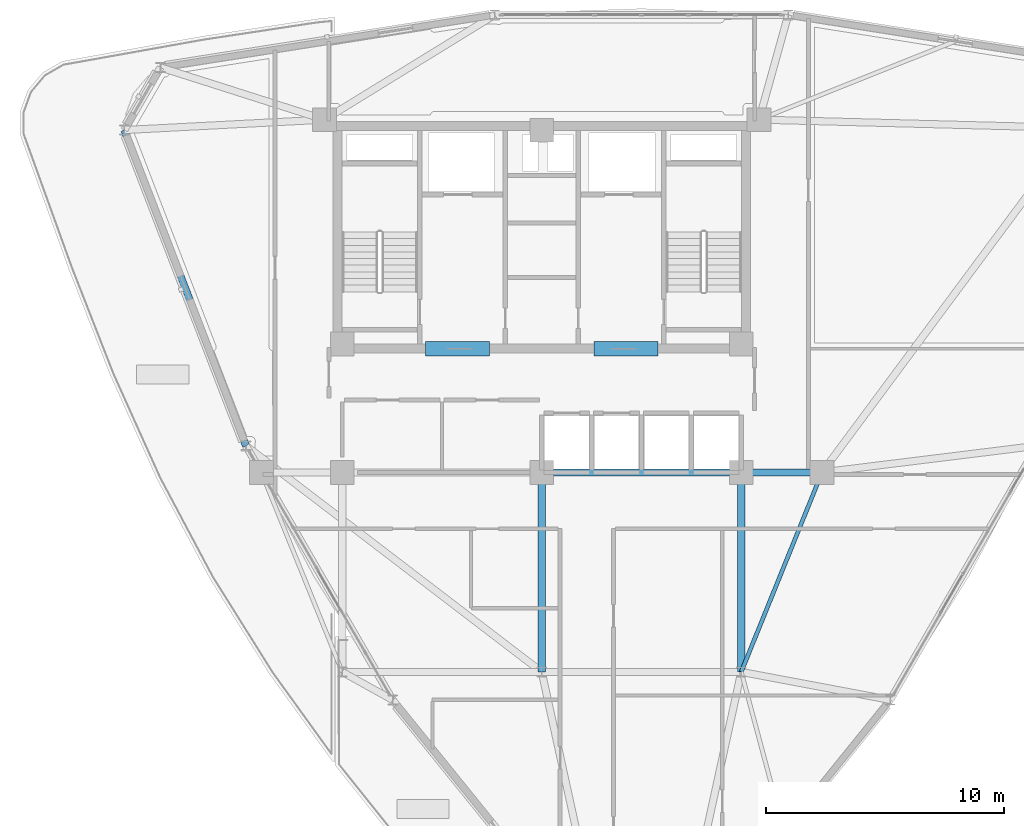
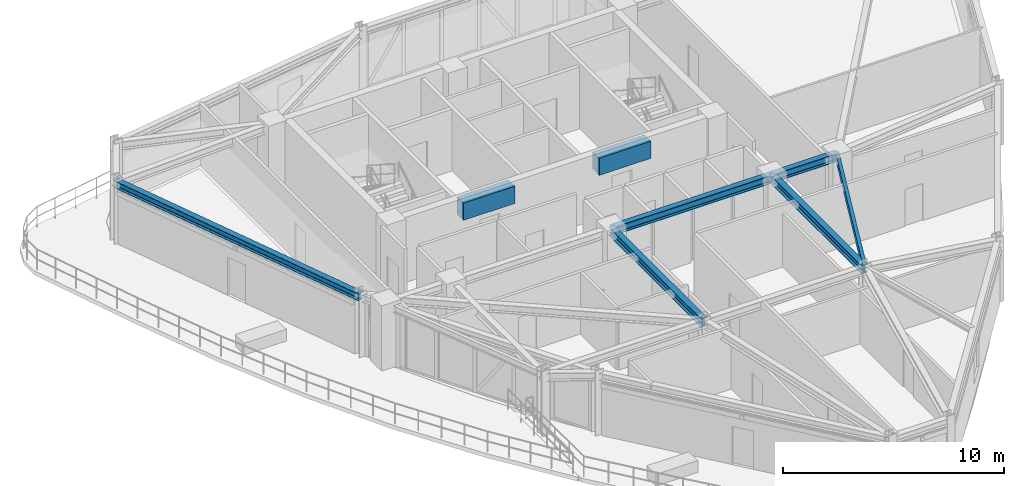
# One storey, part 5 of 19: 8 beams.
"""IFC4 building model written with IfcOpenShell, lengths in metres."""

import ifcopenshell
import ifcopenshell.guid

model = None  # the IFC model being written
_history = None  # IfcOwnerHistory: only IFC2X3 demands one
_inside = {}  # id of a spatial element -> (the spatial element, [elements in it])
_under = {}  # id of a project, library or spatial element -> (it, [spatial elements below it])
_declared = {}  # id of a project -> (the project, [libraries it declares])
_typed = {}  # id of a type object -> (the type object, [elements of that type])
_made_of = {}  # id of a material, layer set ... -> (it, [elements and type objects made of it])


def new_model(schema):
    """Start an empty IFC model of exactly this schema.

    Asked for "IFC4X3", IfcOpenShell would pick the latest addendum, in which some entities
    have other attributes; the version numbers below select the first issue.
    IFC2X3 requires an IfcOwnerHistory on every rooted entity: one is made here for all.
    """
    global model, _history
    if schema == "IFC4X3":
        model = ifcopenshell.file(schema_version=(4, 3, 0, 0))
    else:
        model = ifcopenshell.file(schema=schema)
    _inside.clear()
    _under.clear()
    _declared.clear()
    _typed.clear()
    _made_of.clear()
    _history = None
    if model.schema == "IFC2X3":
        org = make("IfcOrganization", Name="unknown")
        user = make(
            "IfcPersonAndOrganization",
            ThePerson=make("IfcPerson", FamilyName="unknown"),
            TheOrganization=org,
        )
        app = make(
            "IfcApplication",
            ApplicationDeveloper=org,
            Version="unknown",
            ApplicationFullName="unknown",
            ApplicationIdentifier="unknown",
        )
        _history = make(
            "IfcOwnerHistory",
            OwningUser=user,
            OwningApplication=app,
            ChangeAction="ADDED",
            CreationDate=0,
        )
    return model


def make(cls, **values):
    """One entity of the class cls with the attributes given. An attribute that is None is left unset."""
    return model.create_entity(
        cls, **{name: value for name, value in values.items() if value is not None}
    )


def rooted(cls, **values):
    """An entity with a GlobalId (a new one), such as an element, a storey or a relation."""
    return make(cls, GlobalId=ifcopenshell.guid.new(), OwnerHistory=_history, **values)


def si_unit(unit_type, name, prefix=None):
    """IfcSIUnit, for example si_unit("LENGTHUNIT", "METRE", prefix="MILLI")."""
    return make("IfcSIUnit", UnitType=unit_type, Prefix=prefix, Name=name)


def derived_unit(unit_type, elements):
    """IfcDerivedUnit: a product of units, each with its exponent."""
    return make(
        "IfcDerivedUnit",
        Elements=[
            make("IfcDerivedUnitElement", Unit=unit, Exponent=power)
            for unit, power in elements
        ],
        UnitType=unit_type,
    )


def assignment(units):
    """IfcUnitAssignment: the units of a project."""
    return None if units is None else make("IfcUnitAssignment", Units=units)


def point(xyz):
    """IfcCartesianPoint."""
    return None if xyz is None else make("IfcCartesianPoint", Coordinates=xyz)


def direction(xyz):
    """IfcDirection."""
    return None if xyz is None else make("IfcDirection", DirectionRatios=xyz)


def frame(location, z_axis=None, x_axis=None):
    """IfcAxis2Placement3D, a coordinate frame: its origin and axes. An axis left out is left unset."""
    return make(
        "IfcAxis2Placement3D",
        Location=point(location),
        Axis=direction(z_axis),
        RefDirection=direction(x_axis),
    )


def frame_2d(location, x_axis=None):
    """IfcAxis2Placement2D, a coordinate frame in the plane: its origin and x axis."""
    return make(
        "IfcAxis2Placement2D", Location=point(location), RefDirection=direction(x_axis)
    )


def origin():
    """The frame at (0, 0, 0) with its axes left unset."""
    return frame((0.0, 0.0, 0.0))


def origin_2d():
    """The frame at (0, 0) in the plane with its x axis left unset."""
    return frame_2d((0.0, 0.0))


def place(relative_to, where):
    """IfcLocalPlacement: puts the frame where relative to a parent placement (None: the world)."""
    return make(
        "IfcLocalPlacement", PlacementRelTo=relative_to, RelativePlacement=where
    )


def context(
    kind, dimensions, precision=None, world=None, true_north=None, identifier=None
):
    """IfcGeometricRepresentationContext, for example the 3D "Model" context."""
    return make(
        "IfcGeometricRepresentationContext",
        ContextIdentifier=identifier,
        ContextType=kind,
        CoordinateSpaceDimension=dimensions,
        Precision=precision,
        WorldCoordinateSystem=world,
        TrueNorth=true_north,
    )


def subcontext(parent, identifier, kind, view, scale=None):
    """IfcGeometricRepresentationSubContext, for example "Body" below "Model"."""
    return make(
        "IfcGeometricRepresentationSubContext",
        ContextIdentifier=identifier,
        ContextType=kind,
        ParentContext=parent,
        TargetScale=scale,
        TargetView=view,
    )


def project(units=None, contexts=None):
    """IfcProject with its units and contexts."""
    return rooted(
        "IfcProject",
        Name="project",
        RepresentationContexts=contexts,
        UnitsInContext=assignment(units),
    )


def spatial(cls, under=None, at=None, **own):
    """A site, building, storey or space (cls), placed at a placement, below another one or the project."""
    s = rooted(cls, ObjectPlacement=at, **own)
    if under is not None:
        _under.setdefault(under.id(), (under, []))[1].append(s)
    return s


def profile(cls, at=None, kind="AREA", **sizes):
    """A parametric profile (cls). Its sizes go by their IFC names, for example OverallWidth=200.0."""
    return make(cls, ProfileType=kind, Position=at, **sizes)


def rectangle(**sizes):
    """IfcRectangleProfileDef."""
    return profile("IfcRectangleProfileDef", **sizes)


def i_section(**sizes):
    """IfcIShapeProfileDef."""
    return profile("IfcIShapeProfileDef", **sizes)


def extrude(swept, where, along, depth):
    """IfcExtrudedAreaSolid: the profile swept, set in the frame where, extruded along a direction by depth."""
    return make(
        "IfcExtrudedAreaSolid",
        SweptArea=swept,
        Position=where,
        ExtrudedDirection=direction(along),
        Depth=depth,
    )


def shape(context_of_items, identifier, shape_type, items):
    """IfcShapeRepresentation: the items that make up one representation, for example the "Body"."""
    return make(
        "IfcShapeRepresentation",
        ContextOfItems=context_of_items,
        RepresentationIdentifier=identifier,
        RepresentationType=shape_type,
        Items=items,
    )


def source(mapping_origin, context_of_items, identifier, shape_type, items):
    """IfcRepresentationMap: a shape defined once, which mapped items show again and again."""
    return make(
        "IfcRepresentationMap",
        MappingOrigin=mapping_origin,
        MappedRepresentation=shape(context_of_items, identifier, shape_type, items),
    )


def transform(
    local_origin,
    x_axis=None,
    y_axis=None,
    z_axis=None,
    scale=None,
    scale2=None,
    scale3=None,
    uniform=True,
):
    """IfcCartesianTransformationOperator3D, or its non-uniform kind. x_axis, y_axis, z_axis: its Axis1, 2, 3."""
    if uniform:
        return make(
            "IfcCartesianTransformationOperator3D",
            Axis1=direction(x_axis),
            Axis2=direction(y_axis),
            LocalOrigin=point(local_origin),
            Scale=scale,
            Axis3=direction(z_axis),
        )
    return make(
        "IfcCartesianTransformationOperator3DnonUniform",
        Axis1=direction(x_axis),
        Axis2=direction(y_axis),
        LocalOrigin=point(local_origin),
        Scale=scale,
        Axis3=direction(z_axis),
        Scale2=scale2,
        Scale3=scale3,
    )


def mapped(mapping_source, mapping_target):
    """IfcMappedItem: shows the shape of a source again, moved by a transform."""
    return make(
        "IfcMappedItem", MappingSource=mapping_source, MappingTarget=mapping_target
    )


def material(Name=None, Category=None):
    """IfcMaterial."""
    return make("IfcMaterial", Name=Name, Category=Category)


def material_profile(
    of_material, cross_section, Name=None, Category=None, Priority=None
):
    """IfcMaterialProfile: a cross section and its material."""
    return make(
        "IfcMaterialProfile",
        Name=Name,
        Material=of_material,
        Profile=cross_section,
        Priority=Priority,
        Category=Category,
    )


def profile_set(profiles, Name=None, composite=None):
    """IfcMaterialProfileSet."""
    return make(
        "IfcMaterialProfileSet",
        Name=Name,
        MaterialProfiles=profiles,
        CompositeProfile=composite,
    )


def made_of(thing, what):
    """Note that an element or type object is made of a material, layer set ...; save() writes the relation."""
    if what is not None:
        _made_of.setdefault(what.id(), (what, []))[1].append(thing)
    return thing


def type_object(cls, material=None, **own):
    """A type object (cls), such as IfcWallType, which elements share."""
    return made_of(rooted(cls, **own), material)


def element(
    cls,
    number,
    at=None,
    inside=None,
    cuts=None,
    type_object=None,
    material=None,
    context=None,
    identifier="Body",
    shape_type=None,
    held_by="IfcProductDefinitionShape",
    body=None,
    shapes=None,
    **own,
):
    """One element of the class cls, such as IfcWall. Its Tag is "e" and its number.

    at: its placement. inside: the storey or other place that contains it. cuts: it is an
    opening in that element (IfcRelVoidsElement). A single representation is given by context,
    identifier, shape_type and body (its items); several are given by shapes. held_by: the class
    of the entity that holds the representations. save() writes the other relations.
    """
    e = rooted(cls, Tag="e%d" % number, ObjectPlacement=at, **own)
    if body is not None:
        shapes = [shape(context, identifier, shape_type, body)]
    if shapes is not None:
        e.Representation = make(held_by, Representations=shapes)
    if inside is not None:
        _inside.setdefault(inside.id(), (inside, []))[1].append(e)
    if cuts is not None:
        rooted(
            "IfcRelVoidsElement", RelatingBuildingElement=cuts, RelatedOpeningElement=e
        )
    if type_object is not None:
        _typed.setdefault(type_object.id(), (type_object, []))[1].append(e)
    return made_of(e, material)


def aggregate(whole, parts):
    """IfcRelAggregates: a whole, such as a stair, and the parts it consists of."""
    return rooted("IfcRelAggregates", RelatingObject=whole, RelatedObjects=parts)


def save(model, path):
    """Write the relations noted so far, then the file.

    IfcRelAggregates (storeys below a building ...), IfcRelContainedInSpatialStructure (elements
    in a storey), IfcRelDefinesByType, IfcRelAssociatesMaterial and IfcRelDeclares: one each for
    every whole, place, type object, material and project.
    """
    for whole, parts in _under.values():
        aggregate(whole, parts)
    for where, things in _inside.values():
        rooted(
            "IfcRelContainedInSpatialStructure",
            RelatedElements=things,
            RelatingStructure=where,
        )
    for kind, things in _typed.values():
        rooted("IfcRelDefinesByType", RelatedObjects=things, RelatingType=kind)
    for what, things in _made_of.values():
        rooted("IfcRelAssociatesMaterial", RelatedObjects=things, RelatingMaterial=what)
    for by, libraries in _declared.values():
        rooted("IfcRelDeclares", RelatingContext=by, RelatedDefinitions=libraries)
    model.write(path)


model = new_model("IFC4")

# Units and contexts
model_context = context("Model", 3, precision=1e-05, world=origin(), true_north=direction((0.0, 1.0)))
body_context = subcontext(model_context, "Body", "Model", "MODEL_VIEW")
ifc_project = project(units=[si_unit("LENGTHUNIT", "METRE"), si_unit("AREAUNIT", "SQUARE_METRE"), si_unit("VOLUMEUNIT", "CUBIC_METRE"), si_unit("PLANEANGLEUNIT", "RADIAN"), si_unit("MASSUNIT", "GRAM", prefix="KILO"), derived_unit("THERMALTRANSMITTANCEUNIT", [(si_unit("POWERUNIT", "WATT"), 1), (si_unit("LENGTHUNIT", "METRE"), -2), (si_unit("THERMODYNAMICTEMPERATUREUNIT", "KELVIN"), -1)])], contexts=[model_context])

# Site, building, storey
site_placement = place(None, origin())
site = spatial("IfcSite", under=ifc_project, at=site_placement, CompositionType="ELEMENT")
building_placement = place(site_placement, origin())
building = spatial("IfcBuilding", under=site, at=building_placement, Name="Korsvarv Bourse and Concert Hall", CompositionType="ELEMENT")
storey_placement = place(building_placement, frame((0.0, 0.0, 205.800048828125)))
storey = spatial("IfcBuildingStorey", under=building, at=storey_placement, Name="L53", CompositionType="ELEMENT", Elevation=205.800048828125)

# Beams
ifc_material_1 = material(Name="Concrete C55/67", Category="concrete")
ifc_material_profile_1 = material_profile(ifc_material_1, rectangle(XDim=0.60009765625, YDim=0.949951171875, at=origin_2d()), Name="RC-BM 600x950")
ifc_profile_set_1 = profile_set([ifc_material_profile_1], Name="Concrete C55/67")
beam_type_1 = type_object("IfcBeamType", Name="BM-CPL", PredefinedType="LINTEL", material=ifc_profile_set_1)
shared_shape_1 = source(origin(), body_context, "Body", "SweptSolid", [
    extrude(rectangle(XDim=0.60009765625, YDim=0.949951171875, at=origin_2d()), origin(), (0.0, 0.0, 1.0), 2.699951171875),
])
for number, where, z_axis, x_axis, name in (
    (1, (31.10009765625, 37.610107421875, 2.93505859375), (1.0, 0.0, 0.0), (0.0, 1.0, 0.0), "L53 Core Coupling Beam West"),
    (2, (38.199951171875, 37.610107421875, 2.93505859375), (1.0, 0.0, 0.0), (0.0, 1.0, 0.0), "L53 Core Coupling Beam East"),
):
    element("IfcBeam", number, at=place(storey_placement, frame(where, z_axis=z_axis, x_axis=x_axis)), inside=storey, type_object=beam_type_1, Name=name, PredefinedType="LINTEL", context=body_context, shape_type="MappedRepresentation", body=[
        mapped(shared_shape_1, transform((0.0, 0.0, 0.0), scale=1.0)),
    ])
ifc_material_2 = material(Name="Steel S355", Category="steel")
ifc_material_profile_2 = material_profile(ifc_material_2, i_section(OverallWidth=0.169921875, OverallDepth=0.360107421875, WebThickness=0.008056640625, FlangeThickness=0.0126953125, FilletRadius=0.01806640625, at=origin_2d()), Name="IPE 360")
ifc_profile_set_2 = profile_set([ifc_material_profile_2], Name="Steel S355")
beam_type_2 = type_object("IfcBeamType", Name="BM-IPE360", PredefinedType="JOIST", material=ifc_profile_set_2)
shared_shape_2 = source(origin(), body_context, "Body", "SweptSolid", [
    extrude(i_section(OverallWidth=0.169921875, OverallDepth=0.360107421875, WebThickness=0.008056640625, FlangeThickness=0.0126953125, FilletRadius=0.01806640625, at=origin_2d()), origin(), (0.0, 0.0, 1.0), 9.06201171875),
])
beam_1_placement = place(storey_placement, frame((47.800048828125, 32.39990234375, 3.22998046875), z_axis=(-0.375210394783, -0.926939674222, 0.0), x_axis=(0.926939674222, -0.375210394783, 0.0)))
element("IfcBeam", 3, at=beam_1_placement, inside=storey, type_object=beam_type_2, Name="L53 beam J-06", PredefinedType="JOIST", context=body_context, shape_type="MappedRepresentation", body=[
    mapped(shared_shape_2, transform((0.0, 0.0, 0.0), scale=1.0)),
])
ifc_material_profile_3 = material_profile(ifc_material_2, i_section(OverallWidth=0.300048828125, OverallDepth=0.449951171875, WebThickness=0.013916015625, FlangeThickness=0.02587890625, FilletRadius=0.02099609375, at=origin_2d()), Name="HEB 450")
ifc_profile_set_3 = profile_set([ifc_material_profile_3], Name="Steel S355")
beam_type_3 = type_object("IfcBeamType", Name="BM-HEB450", PredefinedType="SPANDREL", material=ifc_profile_set_3)
shared_shape_3 = source(origin(), body_context, "Body", "SweptSolid", [
    extrude(i_section(OverallWidth=0.300048828125, OverallDepth=0.449951171875, WebThickness=0.013916015625, FlangeThickness=0.02587890625, FilletRadius=0.02099609375, at=origin_2d()), origin(), (0.0, 0.0, 1.0), 3.400146484375),
])
beam_2_placement = place(storey_placement, frame((44.39990234375, 32.39990234375, 3.18505859375), z_axis=(1.0, 0.0, 0.0), x_axis=(0.0, 1.0, 0.0)))
element("IfcBeam", 4, at=beam_2_placement, inside=storey, type_object=beam_type_3, Name="L53 beam B-08", PredefinedType="SPANDREL", context=body_context, shape_type="MappedRepresentation", body=[
    mapped(shared_shape_3, transform((0.0, 0.0, 0.0), scale=1.0)),
])
shared_shape_4 = source(origin(), body_context, "Body", "SweptSolid", [
    extrude(i_section(OverallWidth=0.300048828125, OverallDepth=0.449951171875, WebThickness=0.013916015625, FlangeThickness=0.02587890625, FilletRadius=0.02099609375, at=origin_2d()), origin(), (0.0, 0.0, 1.0), 8.39990234375),
])
for number, where, z_axis, x_axis, name in (
    (5, (36.0, 32.39990234375, 3.18505859375), (1.0, 0.0, 0.0), (0.0, 1.0, 0.0), "L53 beam B-08"),
    (6, (36.0, 24.0, 3.18505859375), (0.0, 1.0, 0.0), (-1.0, 0.0, 0.0), "L53 beam B-08"),
    (7, (44.39990234375, 24.0, 3.18505859375), (0.0, 1.0, 0.0), (-1.0, 0.0, 0.0), "L53 beam B-08"),
):
    element("IfcBeam", number, at=place(storey_placement, frame(where, z_axis=z_axis, x_axis=x_axis)), inside=storey, type_object=beam_type_3, Name=name, PredefinedType="SPANDREL", context=body_context, shape_type="MappedRepresentation", body=[
        mapped(shared_shape_4, transform((0.0, 0.0, 0.0), scale=1.0)),
    ])
ifc_material_profile_4 = material_profile(ifc_material_2, i_section(OverallWidth=0.300048828125, OverallDepth=0.389892578125, WebThickness=0.010986328125, FlangeThickness=0.01904296875, FilletRadius=0.02099609375, at=origin_2d()), Name="HEA 400")
ifc_profile_set_4 = profile_set([ifc_material_profile_4], Name="Steel S355")
beam_type_4 = type_object("IfcBeamType", Name="BM-HEA400", PredefinedType="BEAM", material=ifc_profile_set_4)
shared_shape_5 = source(origin(), body_context, "Body", "SweptSolid", [
    extrude(i_section(OverallWidth=0.300048828125, OverallDepth=0.389892578125, WebThickness=0.010986328125, FlangeThickness=0.01904296875, FilletRadius=0.02099609375, at=origin_2d()), origin(), (0.0, 0.0, 1.0), 14.244140625),
])
beam_3_placement = place(storey_placement, frame((18.429931640625, 46.811279296875, 3.21484375), z_axis=(0.359314426727, -0.933216557261, 0.0), x_axis=(0.933216557261, 0.359314426727, 0.0)))
element("IfcBeam", 8, at=beam_3_placement, inside=storey, type_object=beam_type_4, Name="L53 beam B-11", PredefinedType="BEAM", context=body_context, shape_type="MappedRepresentation", body=[
    mapped(shared_shape_5, transform((0.0, 0.0, 0.0), scale=1.0)),
])

save(model, "model.ifc")
